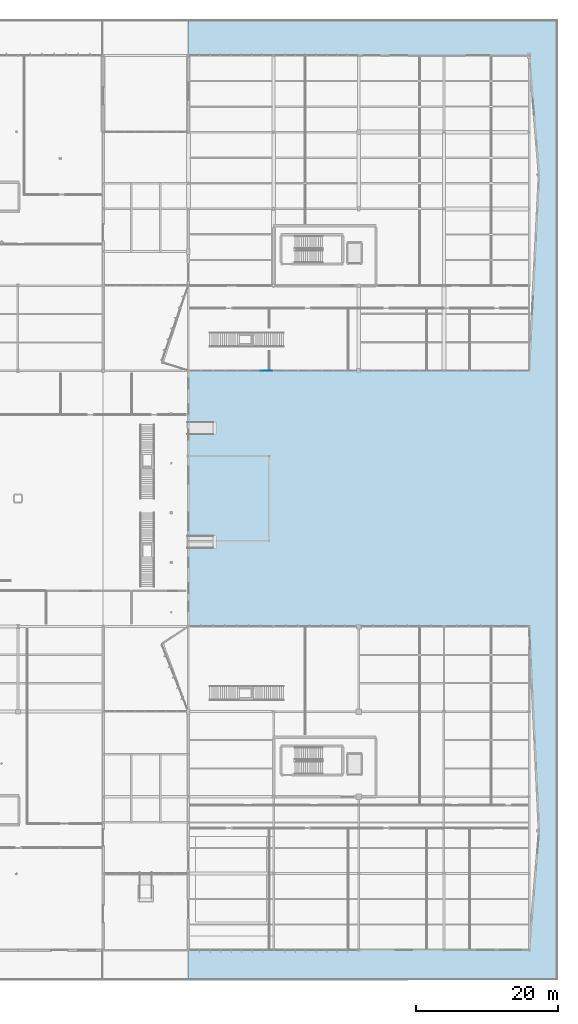
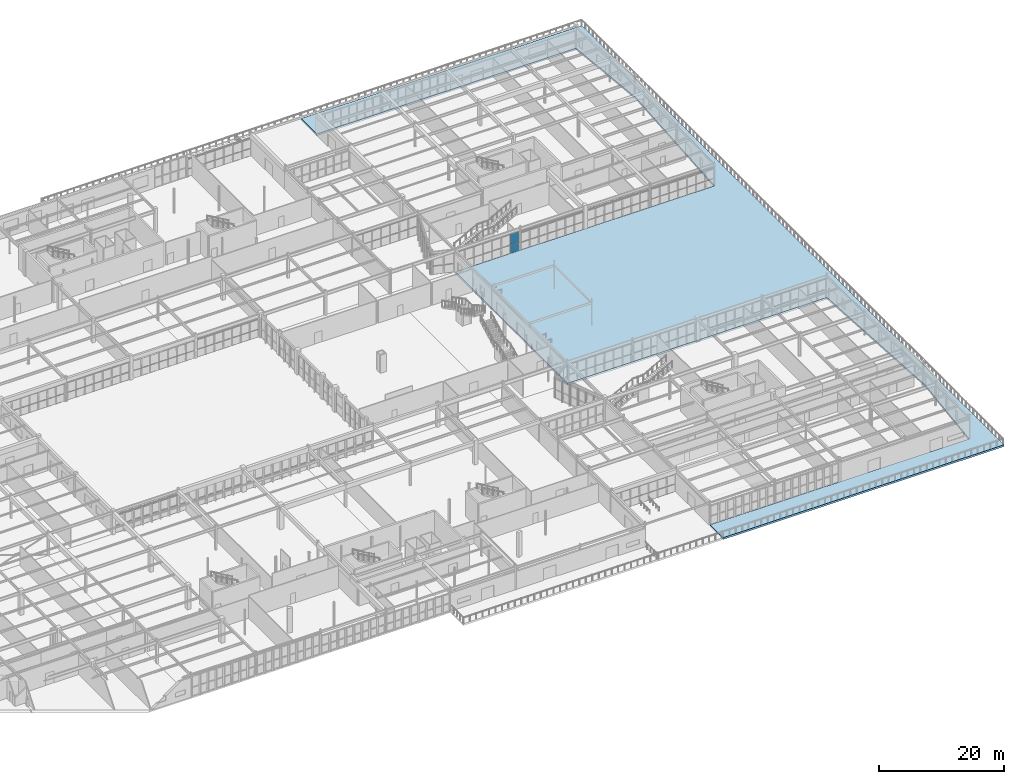
# One storey, part 125 of 199: 2 plates, 1 slab, 1 element without a shape of its own.
"""IFC4 building model written with IfcOpenShell, lengths in metres."""

import ifcopenshell
import ifcopenshell.guid

model = None  # the IFC model being written
_history = None  # IfcOwnerHistory: only IFC2X3 demands one
_inside = {}  # id of a spatial element -> (the spatial element, [elements in it])
_under = {}  # id of a project, library or spatial element -> (it, [spatial elements below it])
_declared = {}  # id of a project -> (the project, [libraries it declares])
_typed = {}  # id of a type object -> (the type object, [elements of that type])
_made_of = {}  # id of a material, layer set ... -> (it, [elements and type objects made of it])


def new_model(schema):
    """Start an empty IFC model of exactly this schema.

    Asked for "IFC4X3", IfcOpenShell would pick the latest addendum, in which some entities
    have other attributes; the version numbers below select the first issue.
    IFC2X3 requires an IfcOwnerHistory on every rooted entity: one is made here for all.
    """
    global model, _history
    if schema == "IFC4X3":
        model = ifcopenshell.file(schema_version=(4, 3, 0, 0))
    else:
        model = ifcopenshell.file(schema=schema)
    _inside.clear()
    _under.clear()
    _declared.clear()
    _typed.clear()
    _made_of.clear()
    _history = None
    if model.schema == "IFC2X3":
        org = make("IfcOrganization", Name="unknown")
        user = make(
            "IfcPersonAndOrganization",
            ThePerson=make("IfcPerson", FamilyName="unknown"),
            TheOrganization=org,
        )
        app = make(
            "IfcApplication",
            ApplicationDeveloper=org,
            Version="unknown",
            ApplicationFullName="unknown",
            ApplicationIdentifier="unknown",
        )
        _history = make(
            "IfcOwnerHistory",
            OwningUser=user,
            OwningApplication=app,
            ChangeAction="ADDED",
            CreationDate=0,
        )
    return model


def make(cls, **values):
    """One entity of the class cls with the attributes given. An attribute that is None is left unset."""
    return model.create_entity(
        cls, **{name: value for name, value in values.items() if value is not None}
    )


def rooted(cls, **values):
    """An entity with a GlobalId (a new one), such as an element, a storey or a relation."""
    return make(cls, GlobalId=ifcopenshell.guid.new(), OwnerHistory=_history, **values)


def si_unit(unit_type, name, prefix=None):
    """IfcSIUnit, for example si_unit("LENGTHUNIT", "METRE", prefix="MILLI")."""
    return make("IfcSIUnit", UnitType=unit_type, Prefix=prefix, Name=name)


def assignment(units):
    """IfcUnitAssignment: the units of a project."""
    return None if units is None else make("IfcUnitAssignment", Units=units)


def point(xyz):
    """IfcCartesianPoint."""
    return None if xyz is None else make("IfcCartesianPoint", Coordinates=xyz)


def direction(xyz):
    """IfcDirection."""
    return None if xyz is None else make("IfcDirection", DirectionRatios=xyz)


def frame(location, z_axis=None, x_axis=None):
    """IfcAxis2Placement3D, a coordinate frame: its origin and axes. An axis left out is left unset."""
    return make(
        "IfcAxis2Placement3D",
        Location=point(location),
        Axis=direction(z_axis),
        RefDirection=direction(x_axis),
    )


def frame_2d(location, x_axis=None):
    """IfcAxis2Placement2D, a coordinate frame in the plane: its origin and x axis."""
    return make(
        "IfcAxis2Placement2D", Location=point(location), RefDirection=direction(x_axis)
    )


def origin():
    """The frame at (0, 0, 0) with its axes left unset."""
    return frame((0.0, 0.0, 0.0))


def origin_2d():
    """The frame at (0, 0) in the plane with its x axis left unset."""
    return frame_2d((0.0, 0.0))


def place(relative_to, where):
    """IfcLocalPlacement: puts the frame where relative to a parent placement (None: the world)."""
    return make(
        "IfcLocalPlacement", PlacementRelTo=relative_to, RelativePlacement=where
    )


def context(
    kind, dimensions, precision=None, world=None, true_north=None, identifier=None
):
    """IfcGeometricRepresentationContext, for example the 3D "Model" context."""
    return make(
        "IfcGeometricRepresentationContext",
        ContextIdentifier=identifier,
        ContextType=kind,
        CoordinateSpaceDimension=dimensions,
        Precision=precision,
        WorldCoordinateSystem=world,
        TrueNorth=true_north,
    )


def subcontext(parent, identifier, kind, view, scale=None):
    """IfcGeometricRepresentationSubContext, for example "Body" below "Model"."""
    return make(
        "IfcGeometricRepresentationSubContext",
        ContextIdentifier=identifier,
        ContextType=kind,
        ParentContext=parent,
        TargetScale=scale,
        TargetView=view,
    )


def project(units=None, contexts=None):
    """IfcProject with its units and contexts."""
    return rooted(
        "IfcProject",
        Name="project",
        RepresentationContexts=contexts,
        UnitsInContext=assignment(units),
    )


def spatial(cls, under=None, at=None, **own):
    """A site, building, storey or space (cls), placed at a placement, below another one or the project."""
    s = rooted(cls, ObjectPlacement=at, **own)
    if under is not None:
        _under.setdefault(under.id(), (under, []))[1].append(s)
    return s


def polyline(points):
    """IfcPolyline through the points."""
    return make("IfcPolyline", Points=[point(p) for p in points])


def profile(cls, at=None, kind="AREA", **sizes):
    """A parametric profile (cls). Its sizes go by their IFC names, for example OverallWidth=200.0."""
    return make(cls, ProfileType=kind, Position=at, **sizes)


def rectangle(**sizes):
    """IfcRectangleProfileDef."""
    return profile("IfcRectangleProfileDef", **sizes)


def outline(outer, holes=None, kind="AREA"):
    """IfcArbitraryClosedProfileDef: a profile drawn as a closed curve; with holes, ...WithVoids."""
    if holes is None:
        return make("IfcArbitraryClosedProfileDef", ProfileType=kind, OuterCurve=outer)
    return make(
        "IfcArbitraryProfileDefWithVoids",
        ProfileType=kind,
        OuterCurve=outer,
        InnerCurves=holes,
    )


def extrude(swept, where, along, depth):
    """IfcExtrudedAreaSolid: the profile swept, set in the frame where, extruded along a direction by depth."""
    return make(
        "IfcExtrudedAreaSolid",
        SweptArea=swept,
        Position=where,
        ExtrudedDirection=direction(along),
        Depth=depth,
    )


def shape(context_of_items, identifier, shape_type, items):
    """IfcShapeRepresentation: the items that make up one representation, for example the "Body"."""
    return make(
        "IfcShapeRepresentation",
        ContextOfItems=context_of_items,
        RepresentationIdentifier=identifier,
        RepresentationType=shape_type,
        Items=items,
    )


def material(Name=None, Category=None):
    """IfcMaterial."""
    return make("IfcMaterial", Name=Name, Category=Category)


def layer(
    of_material, thickness, ventilated=None, Name=None, Category=None, Priority=None
):
    """IfcMaterialLayer: one layer of a wall or slab, of a material (None: an air gap)."""
    return make(
        "IfcMaterialLayer",
        Material=of_material,
        LayerThickness=thickness,
        IsVentilated=ventilated,
        Name=Name,
        Category=Category,
        Priority=Priority,
    )


def layer_set(layers, Name=None):
    """IfcMaterialLayerSet."""
    return make("IfcMaterialLayerSet", MaterialLayers=layers, LayerSetName=Name)


def made_of(thing, what):
    """Note that an element or type object is made of a material, layer set ...; save() writes the relation."""
    if what is not None:
        _made_of.setdefault(what.id(), (what, []))[1].append(thing)
    return thing


def type_object(cls, material=None, **own):
    """A type object (cls), such as IfcWallType, which elements share."""
    return made_of(rooted(cls, **own), material)


def element(
    cls,
    number,
    at=None,
    inside=None,
    cuts=None,
    type_object=None,
    material=None,
    context=None,
    identifier="Body",
    shape_type=None,
    held_by="IfcProductDefinitionShape",
    body=None,
    shapes=None,
    **own,
):
    """One element of the class cls, such as IfcWall. Its Tag is "e" and its number.

    at: its placement. inside: the storey or other place that contains it. cuts: it is an
    opening in that element (IfcRelVoidsElement). A single representation is given by context,
    identifier, shape_type and body (its items); several are given by shapes. held_by: the class
    of the entity that holds the representations. save() writes the other relations.
    """
    e = rooted(cls, Tag="e%d" % number, ObjectPlacement=at, **own)
    if body is not None:
        shapes = [shape(context, identifier, shape_type, body)]
    if shapes is not None:
        e.Representation = make(held_by, Representations=shapes)
    if inside is not None:
        _inside.setdefault(inside.id(), (inside, []))[1].append(e)
    if cuts is not None:
        rooted(
            "IfcRelVoidsElement", RelatingBuildingElement=cuts, RelatedOpeningElement=e
        )
    if type_object is not None:
        _typed.setdefault(type_object.id(), (type_object, []))[1].append(e)
    return made_of(e, material)


def aggregate(whole, parts):
    """IfcRelAggregates: a whole, such as a stair, and the parts it consists of."""
    return rooted("IfcRelAggregates", RelatingObject=whole, RelatedObjects=parts)


def save(model, path):
    """Write the relations noted so far, then the file.

    IfcRelAggregates (storeys below a building ...), IfcRelContainedInSpatialStructure (elements
    in a storey), IfcRelDefinesByType, IfcRelAssociatesMaterial and IfcRelDeclares: one each for
    every whole, place, type object, material and project.
    """
    for whole, parts in _under.values():
        aggregate(whole, parts)
    for where, things in _inside.values():
        rooted(
            "IfcRelContainedInSpatialStructure",
            RelatedElements=things,
            RelatingStructure=where,
        )
    for kind, things in _typed.values():
        rooted("IfcRelDefinesByType", RelatedObjects=things, RelatingType=kind)
    for what, things in _made_of.values():
        rooted("IfcRelAssociatesMaterial", RelatedObjects=things, RelatingMaterial=what)
    for by, libraries in _declared.values():
        rooted("IfcRelDeclares", RelatingContext=by, RelatedDefinitions=libraries)
    model.write(path)


model = new_model("IFC4")

# Units and contexts
model_context = context("Model", 3, precision=1e-05, world=origin(), true_north=direction((0.0, 1.0)))
body_context = subcontext(model_context, "Body", "Model", "MODEL_VIEW")
ifc_project = project(units=[si_unit("LENGTHUNIT", "METRE"), si_unit("AREAUNIT", "SQUARE_METRE"), si_unit("VOLUMEUNIT", "CUBIC_METRE"), si_unit("PLANEANGLEUNIT", "RADIAN"), si_unit("MASSUNIT", "GRAM", prefix="KILO")], contexts=[model_context])

# Site, building, storey
site_placement = place(None, origin())
site = spatial("IfcSite", under=ifc_project, at=site_placement, CompositionType="ELEMENT")
building_placement = place(site_placement, origin())
building = spatial("IfcBuilding", under=site, at=building_placement, Name="Tarnwether General Hospital", CompositionType="ELEMENT")
storey_placement = place(building_placement, origin())
storey = spatial("IfcBuildingStorey", under=building, at=storey_placement, Name="L00", CompositionType="ELEMENT", Elevation=0.0)

# Curtain wall, plates
ifc_material_1 = material(Name="Anodised aluminium", Category="aluminium")
ifc_layer_1 = layer(ifc_material_1, 0.159912109375)
ifc_layer_set_1 = layer_set([ifc_layer_1], Name="Anodised aluminium")
curtain_wall_type = type_object("IfcCurtainWallType", Name="CW-20", PredefinedType="NOTDEFINED", material=ifc_layer_set_1)
curtain_wall_placement = place(storey_placement, origin())
curtain_wall = element("IfcCurtainWall", 1, at=curtain_wall_placement, inside=storey, type_object=curtain_wall_type, Name="Curtain Wall CWG-L00-1559_816-0293", PredefinedType="NOTDEFINED")
ifc_material_2 = material(Name="Double glazed low-E glass", Category="glass")
ifc_layer_2 = layer(ifc_material_2, 0.028076171875)
ifc_layer_set_2 = layer_set([ifc_layer_2], Name="Double glazed low-E glass")
plate_type = type_object("IfcPlateType", Name="PT-CWP1", PredefinedType="CURTAIN_PANEL", material=ifc_layer_set_2)
plate_1_placement = place(storey_placement, frame((155.007568359375, 81.60009765625, 0.06005859375), z_axis=(0.0, 0.0, 1.0), x_axis=(-1.0, 0.0, 0.0)))
plate_1 = element("IfcPlate", 2, at=plate_1_placement, type_object=plate_type, Name="CW-20 panel 1.1", PredefinedType="CURTAIN_PANEL", context=body_context, shape_type="SweptSolid", body=[
    extrude(rectangle(XDim=1.589111328125, YDim=0.028076171875, at=origin_2d()), origin(), (0.0, 0.0, 1.0), 1.632568359375),
])
plate_2_placement = place(storey_placement, frame((155.007568359375, 81.60009765625, 1.75244140625), z_axis=(0.0, 0.0, 1.0), x_axis=(-1.0, 0.0, 0.0)))
plate_2 = element("IfcPlate", 3, at=plate_2_placement, type_object=plate_type, Name="CW-20 panel 1.2", PredefinedType="CURTAIN_PANEL", context=body_context, shape_type="SweptSolid", body=[
    extrude(rectangle(XDim=1.589111328125, YDim=0.028076171875, at=origin_2d()), origin(), (0.0, 0.0, 1.0), 2.015380859375),
])
aggregate(curtain_wall, [plate_1, plate_2])

# Slab
ifc_material_3 = material(Name="Concrete 40 MPa", Category="concrete")
ifc_layer_3 = layer(ifc_material_3, 0.360107421875)
ifc_layer_set_3 = layer_set([ifc_layer_3], Name="Concrete 40 MPa")
slab_type = type_object("IfcSlabType", Name="SL-TR240", PredefinedType="FLOOR", material=ifc_layer_set_3)
slab_placement = place(storey_placement, frame((0.0, 0.0, -0.360107421875)))
element("IfcSlab", 4, at=slab_placement, inside=storey, type_object=slab_type, Name="L00 Upper Scarp Arrival Plaza and Street Terrace SL-L00-PLAZA", PredefinedType="FLOOR", context=body_context, shape_type="SweptSolid", body=[
    extrude(outline(polyline([(196.0, 131.0), (196.0, -4.199951171875), (144.050048828125, -4.199951171875), (144.050048828125, 0.0), (192.0, 0.0), (193.39990234375, 16.800048828125), (192.0, 45.60009765625), (144.050048828125, 45.60009765625), (144.050048828125, 81.60009765625), (192.0, 81.60009765625), (193.39990234375, 109.199951171875), (192.0, 126.0), (144.050048828125, 126.0), (144.050048828125, 131.0), (196.0, 131.0)])), origin(), (0.0, 0.0, 1.0), 0.360107421875),
])

save(model, "model.ifc")
